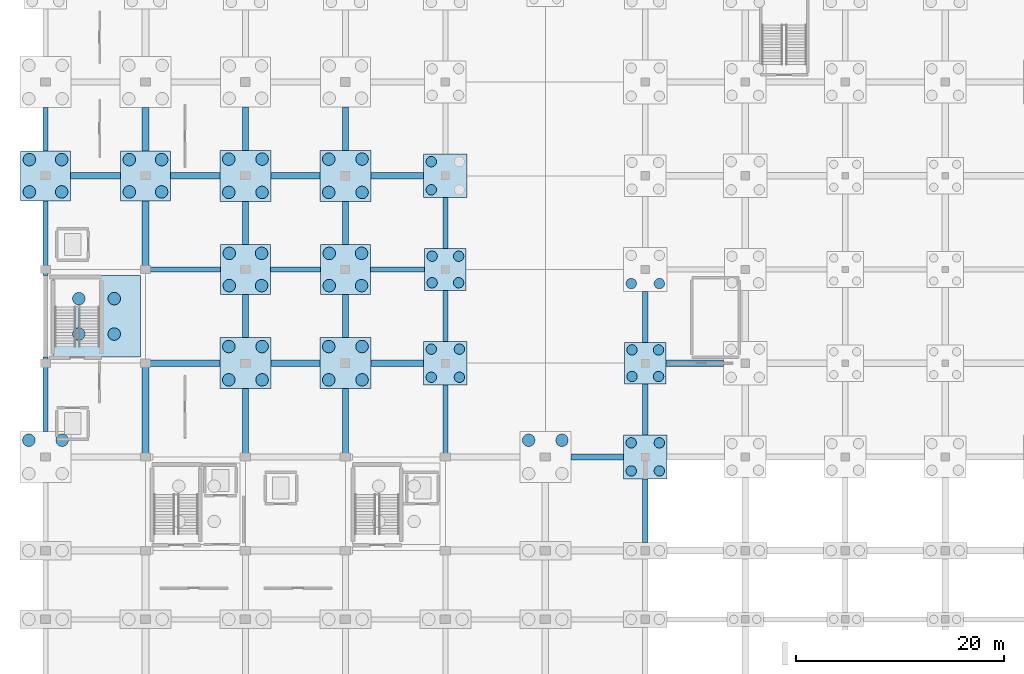
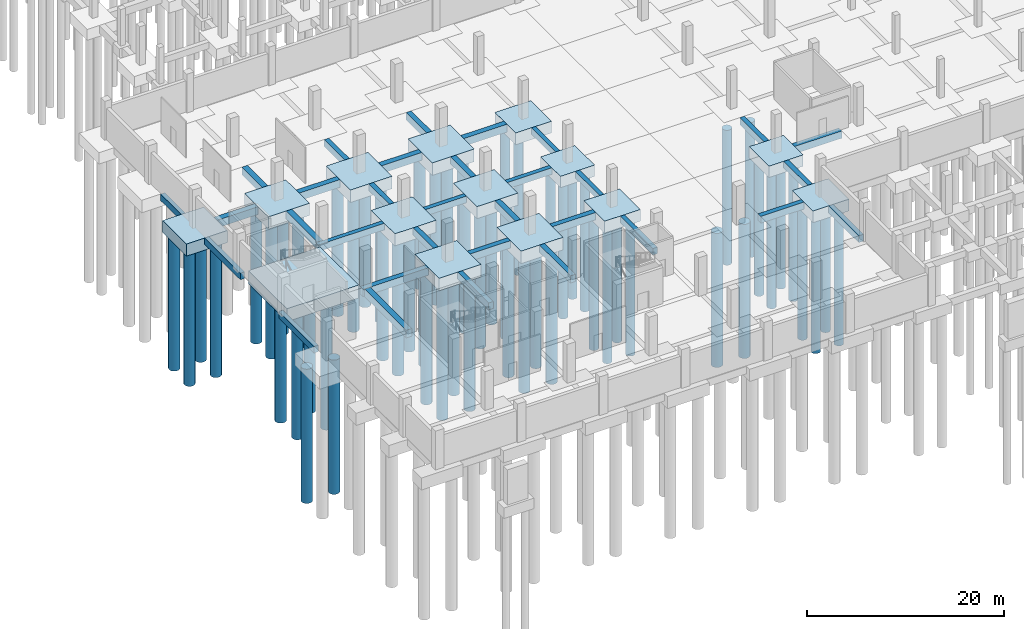
# One storey, part 2 of 39: 60 piles, 46 footings.
"""IFC4 building model written with IfcOpenShell, lengths in metres."""

from ifc_helpers import new_model, si_unit, direction, frame, origin, origin_2d, place, context, subcontext, project, spatial, polyline, rectangle, circle, outline, extrude, material, material_profile, profile_set, type_object, element, save


model = new_model("IFC4")

# Units and contexts
model_context = context("Model", 3, precision=1e-05, world=origin(), true_north=direction((0.0, 1.0)))
body_context = subcontext(model_context, "Body", "Model", "MODEL_VIEW")
ifc_project = project(units=[si_unit("LENGTHUNIT", "METRE"), si_unit("AREAUNIT", "SQUARE_METRE"), si_unit("VOLUMEUNIT", "CUBIC_METRE"), si_unit("PLANEANGLEUNIT", "RADIAN"), si_unit("MASSUNIT", "GRAM", prefix="KILO")], contexts=[model_context])

# Site, building, storey
site_placement = place(None, origin())
site = spatial("IfcSite", under=ifc_project, at=site_placement, CompositionType="ELEMENT")
building_placement = place(site_placement, origin())
building = spatial("IfcBuilding", under=site, at=building_placement, Name="Zarnetskaya Central Station", CompositionType="ELEMENT")
storey_placement = place(building_placement, frame((0.0, 0.0, -4.800048828125)))
storey = spatial("IfcBuildingStorey", under=building, at=storey_placement, Name="B1", CompositionType="ELEMENT", Elevation=-4.800048828125)

# Footings
ifc_material_1 = material(Name="Concrete C30/37", Category="concrete")
footing_type_1 = type_object("IfcFootingType", Name="FB-500x800", PredefinedType="FOOTING_BEAM", material=ifc_material_1)
footing_1_placement = place(storey_placement, frame((0.0, 0.0, -0.800048828125)))
element("IfcFooting", 1, at=footing_1_placement, inside=storey, type_object=footing_type_1, Name="Footing tie beam 6 B-C", PredefinedType="FOOTING_BEAM", context=body_context, shape_type="SweptSolid", body=[
    extrude(outline(polyline([(9.10009765625, 39.949951171875), (16.800048828125, 39.949951171875), (16.800048828125, 40.449951171875), (9.10009765625, 40.449951171875), (9.10009765625, 39.949951171875)])), origin(), (0.0, 0.0, 1.0), 0.800048828125),
])
footing_2_placement = place(storey_placement, frame((0.0, 0.0, -0.800048828125)))
element("IfcFooting", 2, at=footing_2_placement, inside=storey, type_object=footing_type_1, Name="Footing tie beam 6 C-D", PredefinedType="FOOTING_BEAM", context=body_context, shape_type="SweptSolid", body=[
    extrude(outline(polyline([(21.60009765625, 39.949951171875), (26.39990234375, 39.949951171875), (26.39990234375, 40.449951171875), (21.60009765625, 40.449951171875), (21.60009765625, 39.949951171875)])), origin(), (0.0, 0.0, 1.0), 0.800048828125),
])
footing_3_placement = place(storey_placement, frame((0.0, 0.0, -0.800048828125)))
element("IfcFooting", 3, at=footing_3_placement, inside=storey, type_object=footing_type_1, Name="Footing tie beam 6 D-E", PredefinedType="FOOTING_BEAM", context=body_context, shape_type="SweptSolid", body=[
    extrude(outline(polyline([(31.199951171875, 39.949951171875), (36.39990234375, 39.949951171875), (36.39990234375, 40.449951171875), (31.199951171875, 40.449951171875), (31.199951171875, 39.949951171875)])), origin(), (0.0, 0.0, 1.0), 0.800048828125),
])
footing_4_placement = place(storey_placement, frame((0.0, 0.0, -0.800048828125)))
element("IfcFooting", 4, at=footing_4_placement, inside=storey, type_object=footing_type_1, Name="Footing tie beam A 4-5", PredefinedType="FOOTING_BEAM", context=body_context, shape_type="SweptSolid", body=[
    extrude(outline(polyline([(-0.25, 24.64990234375), (0.25, 24.64990234375), (0.25, 31.800048828125), (-0.25, 31.800048828125), (-0.25, 24.64990234375)])), origin(), (0.0, 0.0, 1.0), 0.800048828125),
])
footing_5_placement = place(storey_placement, frame((0.0, 0.0, -0.800048828125)))
element("IfcFooting", 5, at=footing_5_placement, inside=storey, type_object=footing_type_1, Name="Footing tie beam A 6-7", PredefinedType="FOOTING_BEAM", context=body_context, shape_type="SweptSolid", body=[
    extrude(outline(polyline([(-0.25, 39.60009765625), (0.25, 39.60009765625), (0.25, 46.800048828125), (-0.25, 46.800048828125), (-0.25, 39.60009765625)])), origin(), (0.0, 0.0, 1.0), 0.800048828125),
])
footing_6_placement = place(storey_placement, frame((0.0, 0.0, -0.800048828125)))
element("IfcFooting", 6, at=footing_6_placement, inside=storey, type_object=footing_type_1, Name="Footing tie beam A 7-8", PredefinedType="FOOTING_BEAM", context=body_context, shape_type="SweptSolid", body=[
    extrude(outline(polyline([(-0.25, 51.60009765625), (0.25, 51.60009765625), (0.25, 55.75), (-0.25, 55.75), (-0.25, 51.60009765625)])), origin(), (0.0, 0.0, 1.0), 0.800048828125),
])
footing_7_placement = place(storey_placement, frame((0.0, 0.0, -0.800048828125)))
element("IfcFooting", 7, at=footing_7_placement, inside=storey, type_object=footing_type_1, Name="Footing tie beam E 4-5", PredefinedType="FOOTING_BEAM", context=body_context, shape_type="SweptSolid", body=[
    extrude(outline(polyline([(38.14990234375, 22.47509765625), (38.64990234375, 22.47509765625), (38.64990234375, 29.10009765625), (38.14990234375, 29.10009765625), (38.14990234375, 22.47509765625)])), origin(), (0.0, 0.0, 1.0), 0.800048828125),
])
footing_8_placement = place(storey_placement, frame((0.0, 0.0, -0.800048828125)))
element("IfcFooting", 8, at=footing_8_placement, inside=storey, type_object=footing_type_1, Name="Footing tie beam E 5-6", PredefinedType="FOOTING_BEAM", context=body_context, shape_type="SweptSolid", body=[
    extrude(outline(polyline([(38.14990234375, 33.300048828125), (38.64990234375, 33.300048828125), (38.64990234375, 38.199951171875), (38.14990234375, 38.199951171875), (38.14990234375, 33.300048828125)])), origin(), (0.0, 0.0, 1.0), 0.800048828125),
])
footing_9_placement = place(storey_placement, frame((0.0, 0.0, -0.800048828125)))
element("IfcFooting", 9, at=footing_9_placement, inside=storey, type_object=footing_type_1, Name="Footing tie beam E 6-7", PredefinedType="FOOTING_BEAM", context=body_context, shape_type="SweptSolid", body=[
    extrude(outline(polyline([(38.14990234375, 42.199951171875), (38.64990234375, 42.199951171875), (38.64990234375, 47.10009765625), (38.14990234375, 47.10009765625), (38.14990234375, 42.199951171875)])), origin(), (0.0, 0.0, 1.0), 0.800048828125),
])
footing_type_2 = type_object("IfcFootingType", Name="FB-550x850", PredefinedType="FOOTING_BEAM", material=ifc_material_1)
footing_10_placement = place(storey_placement, frame((0.0, 0.0, -0.849853515625)))
element("IfcFooting", 10, at=footing_10_placement, inside=storey, type_object=footing_type_2, Name="Footing tie beam 4 F-G", PredefinedType="FOOTING_BEAM", context=body_context, shape_type="SweptSolid", body=[
    extrude(outline(polyline([(50.449951171875, 21.925048828125), (55.5, 21.925048828125), (55.5, 22.47509765625), (50.449951171875, 22.47509765625), (50.449951171875, 21.925048828125)])), origin(), (0.0, 0.0, 1.0), 0.849853515625),
])
footing_11_placement = place(storey_placement, frame((0.0, 0.0, -0.849853515625)))
element("IfcFooting", 11, at=footing_11_placement, inside=storey, type_object=footing_type_2, Name="Footing tie beam C 4-5", PredefinedType="FOOTING_BEAM", context=body_context, shape_type="SweptSolid", body=[
    extrude(outline(polyline([(18.925048828125, 22.47509765625), (19.47509765625, 22.47509765625), (19.47509765625, 28.75), (18.925048828125, 28.75), (18.925048828125, 22.47509765625)])), origin(), (0.0, 0.0, 1.0), 0.849853515625),
])
footing_12_placement = place(storey_placement, frame((0.0, 0.0, -0.849853515625)))
element("IfcFooting", 12, at=footing_12_placement, inside=storey, type_object=footing_type_2, Name="Footing tie beam C 5-6", PredefinedType="FOOTING_BEAM", context=body_context, shape_type="SweptSolid", body=[
    extrude(outline(polyline([(18.925048828125, 33.64990234375), (19.47509765625, 33.64990234375), (19.47509765625, 37.800048828125), (18.925048828125, 37.800048828125), (18.925048828125, 33.64990234375)])), origin(), (0.0, 0.0, 1.0), 0.849853515625),
])
footing_13_placement = place(storey_placement, frame((0.0, 0.0, -0.849853515625)))
element("IfcFooting", 13, at=footing_13_placement, inside=storey, type_object=footing_type_2, Name="Footing tie beam C 6-7", PredefinedType="FOOTING_BEAM", context=body_context, shape_type="SweptSolid", body=[
    extrude(outline(polyline([(18.925048828125, 42.60009765625), (19.47509765625, 42.60009765625), (19.47509765625, 46.75), (18.925048828125, 46.75), (18.925048828125, 42.60009765625)])), origin(), (0.0, 0.0, 1.0), 0.849853515625),
])
footing_14_placement = place(storey_placement, frame((0.0, 0.0, -0.849853515625)))
element("IfcFooting", 14, at=footing_14_placement, inside=storey, type_object=footing_type_2, Name="Footing tie beam C 7-8", PredefinedType="FOOTING_BEAM", context=body_context, shape_type="SweptSolid", body=[
    extrude(outline(polyline([(18.925048828125, 51.64990234375), (19.47509765625, 51.64990234375), (19.47509765625, 55.800048828125), (18.925048828125, 55.800048828125), (18.925048828125, 51.64990234375)])), origin(), (0.0, 0.0, 1.0), 0.849853515625),
])
footing_15_placement = place(storey_placement, frame((0.0, 0.0, -0.849853515625)))
element("IfcFooting", 15, at=footing_15_placement, inside=storey, type_object=footing_type_2, Name="Footing tie beam G 3-4", PredefinedType="FOOTING_BEAM", context=body_context, shape_type="SweptSolid", body=[
    extrude(outline(polyline([(57.324951171875, 14.0), (57.875, 14.0), (57.875, 20.10009765625), (57.324951171875, 20.10009765625), (57.324951171875, 14.0)])), origin(), (0.0, 0.0, 1.0), 0.849853515625),
])
footing_16_placement = place(storey_placement, frame((0.0, 0.0, -0.849853515625)))
element("IfcFooting", 16, at=footing_16_placement, inside=storey, type_object=footing_type_2, Name="Footing tie beam G 4-5", PredefinedType="FOOTING_BEAM", context=body_context, shape_type="SweptSolid", body=[
    extrude(outline(polyline([(57.324951171875, 24.300048828125), (57.875, 24.300048828125), (57.875, 29.199951171875), (57.324951171875, 29.199951171875), (57.324951171875, 24.300048828125)])), origin(), (0.0, 0.0, 1.0), 0.849853515625),
])
footing_17_placement = place(storey_placement, frame((0.0, 0.0, -0.849853515625)))
element("IfcFooting", 17, at=footing_17_placement, inside=storey, type_object=footing_type_2, Name="Footing tie beam G 5-6", PredefinedType="FOOTING_BEAM", context=body_context, shape_type="SweptSolid", body=[
    extrude(outline(polyline([(57.324951171875, 33.199951171875), (57.875, 33.199951171875), (57.875, 38.10009765625), (57.324951171875, 38.10009765625), (57.324951171875, 33.199951171875)])), origin(), (0.0, 0.0, 1.0), 0.849853515625),
])
footing_type_3 = type_object("IfcFootingType", Name="FB-600x900", PredefinedType="FOOTING_BEAM", material=ifc_material_1)
footing_18_placement = place(storey_placement, frame((0.0, 0.0, -0.89990234375)))
element("IfcFooting", 18, at=footing_18_placement, inside=storey, type_object=footing_type_3, Name="Footing tie beam 5 B-C", PredefinedType="FOOTING_BEAM", context=body_context, shape_type="SweptSolid", body=[
    extrude(outline(polyline([(9.10009765625, 30.89990234375), (16.75, 30.89990234375), (16.75, 31.5), (9.10009765625, 31.5), (9.10009765625, 30.89990234375)])), origin(), (0.0, 0.0, 1.0), 0.89990234375),
])
footing_19_placement = place(storey_placement, frame((0.0, 0.0, -0.89990234375)))
element("IfcFooting", 19, at=footing_19_placement, inside=storey, type_object=footing_type_3, Name="Footing tie beam 5 C-D", PredefinedType="FOOTING_BEAM", context=body_context, shape_type="SweptSolid", body=[
    extrude(outline(polyline([(21.64990234375, 30.89990234375), (26.35009765625, 30.89990234375), (26.35009765625, 31.5), (21.64990234375, 31.5), (21.64990234375, 30.89990234375)])), origin(), (0.0, 0.0, 1.0), 0.89990234375),
])
footing_20_placement = place(storey_placement, frame((0.0, 0.0, -0.89990234375)))
element("IfcFooting", 20, at=footing_20_placement, inside=storey, type_object=footing_type_3, Name="Footing tie beam 5 D-E", PredefinedType="FOOTING_BEAM", context=body_context, shape_type="SweptSolid", body=[
    extrude(outline(polyline([(31.25, 30.89990234375), (36.300048828125, 30.89990234375), (36.300048828125, 31.5), (31.25, 31.5), (31.25, 30.89990234375)])), origin(), (0.0, 0.0, 1.0), 0.89990234375),
])
footing_21_placement = place(storey_placement, frame((0.0, 0.0, -0.89990234375)))
element("IfcFooting", 21, at=footing_21_placement, inside=storey, type_object=footing_type_3, Name="Footing tie beam 5 G-H", PredefinedType="FOOTING_BEAM", context=body_context, shape_type="SweptSolid", body=[
    extrude(outline(polyline([(59.60009765625, 30.89990234375), (65.10009765625, 30.89990234375), (65.10009765625, 31.5), (59.60009765625, 31.5), (59.60009765625, 30.89990234375)])), origin(), (0.0, 0.0, 1.0), 0.89990234375),
])
footing_22_placement = place(storey_placement, frame((0.0, 0.0, -0.89990234375)))
element("IfcFooting", 22, at=footing_22_placement, inside=storey, type_object=footing_type_3, Name="Footing tie beam D 4-5", PredefinedType="FOOTING_BEAM", context=body_context, shape_type="SweptSolid", body=[
    extrude(outline(polyline([(28.5, 22.47509765625), (29.10009765625, 22.47509765625), (29.10009765625, 28.75), (28.5, 28.75), (28.5, 22.47509765625)])), origin(), (0.0, 0.0, 1.0), 0.89990234375),
])
footing_23_placement = place(storey_placement, frame((0.0, 0.0, -0.89990234375)))
element("IfcFooting", 23, at=footing_23_placement, inside=storey, type_object=footing_type_3, Name="Footing tie beam D 5-6", PredefinedType="FOOTING_BEAM", context=body_context, shape_type="SweptSolid", body=[
    extrude(outline(polyline([(28.5, 33.64990234375), (29.10009765625, 33.64990234375), (29.10009765625, 37.800048828125), (28.5, 37.800048828125), (28.5, 33.64990234375)])), origin(), (0.0, 0.0, 1.0), 0.89990234375),
])
footing_24_placement = place(storey_placement, frame((0.0, 0.0, -0.89990234375)))
element("IfcFooting", 24, at=footing_24_placement, inside=storey, type_object=footing_type_3, Name="Footing tie beam D 6-7", PredefinedType="FOOTING_BEAM", context=body_context, shape_type="SweptSolid", body=[
    extrude(outline(polyline([(28.5, 42.60009765625), (29.10009765625, 42.60009765625), (29.10009765625, 46.75), (28.5, 46.75), (28.5, 42.60009765625)])), origin(), (0.0, 0.0, 1.0), 0.89990234375),
])
footing_25_placement = place(storey_placement, frame((0.0, 0.0, -0.89990234375)))
element("IfcFooting", 25, at=footing_25_placement, inside=storey, type_object=footing_type_3, Name="Footing tie beam D 7-8", PredefinedType="FOOTING_BEAM", context=body_context, shape_type="SweptSolid", body=[
    extrude(outline(polyline([(28.5, 51.64990234375), (29.10009765625, 51.64990234375), (29.10009765625, 55.800048828125), (28.5, 55.800048828125), (28.5, 51.64990234375)])), origin(), (0.0, 0.0, 1.0), 0.89990234375),
])
footing_type_4 = type_object("IfcFootingType", Name="FB-650x950", PredefinedType="FOOTING_BEAM", material=ifc_material_1)
footing_26_placement = place(storey_placement, frame((0.0, 0.0, -0.949951171875)))
element("IfcFooting", 26, at=footing_26_placement, inside=storey, type_object=footing_type_4, Name="Footing tie beam 7 A-B", PredefinedType="FOOTING_BEAM", context=body_context, shape_type="SweptSolid", body=[
    extrude(outline(polyline([(2.39990234375, 48.875), (7.199951171875, 48.875), (7.199951171875, 49.52490234375), (2.39990234375, 49.52490234375), (2.39990234375, 48.875)])), origin(), (0.0, 0.0, 1.0), 0.949951171875),
])
footing_27_placement = place(storey_placement, frame((0.0, 0.0, -0.949951171875)))
element("IfcFooting", 27, at=footing_27_placement, inside=storey, type_object=footing_type_4, Name="Footing tie beam 7 B-C", PredefinedType="FOOTING_BEAM", context=body_context, shape_type="SweptSolid", body=[
    extrude(outline(polyline([(12.0, 48.875), (16.75, 48.875), (16.75, 49.52490234375), (12.0, 49.52490234375), (12.0, 48.875)])), origin(), (0.0, 0.0, 1.0), 0.949951171875),
])
footing_28_placement = place(storey_placement, frame((0.0, 0.0, -0.949951171875)))
element("IfcFooting", 28, at=footing_28_placement, inside=storey, type_object=footing_type_4, Name="Footing tie beam 7 C-D", PredefinedType="FOOTING_BEAM", context=body_context, shape_type="SweptSolid", body=[
    extrude(outline(polyline([(21.64990234375, 48.875), (26.35009765625, 48.875), (26.35009765625, 49.52490234375), (21.64990234375, 49.52490234375), (21.64990234375, 48.875)])), origin(), (0.0, 0.0, 1.0), 0.949951171875),
])
footing_29_placement = place(storey_placement, frame((0.0, 0.0, -0.949951171875)))
element("IfcFooting", 29, at=footing_29_placement, inside=storey, type_object=footing_type_4, Name="Footing tie beam 7 D-E", PredefinedType="FOOTING_BEAM", context=body_context, shape_type="SweptSolid", body=[
    extrude(outline(polyline([(31.25, 48.875), (36.300048828125, 48.875), (36.300048828125, 49.52490234375), (31.25, 49.52490234375), (31.25, 48.875)])), origin(), (0.0, 0.0, 1.0), 0.949951171875),
])
footing_30_placement = place(storey_placement, frame((0.0, 0.0, -0.949951171875)))
element("IfcFooting", 30, at=footing_30_placement, inside=storey, type_object=footing_type_4, Name="Footing tie beam B 4-5", PredefinedType="FOOTING_BEAM", context=body_context, shape_type="SweptSolid", body=[
    extrude(outline(polyline([(9.27490234375, 22.47509765625), (9.925048828125, 22.47509765625), (9.925048828125, 30.89990234375), (9.27490234375, 30.89990234375), (9.27490234375, 22.47509765625)])), origin(), (0.0, 0.0, 1.0), 0.949951171875),
])
footing_31_placement = place(storey_placement, frame((0.0, 0.0, -0.949951171875)))
element("IfcFooting", 31, at=footing_31_placement, inside=storey, type_object=footing_type_4, Name="Footing tie beam B 6-7", PredefinedType="FOOTING_BEAM", context=body_context, shape_type="SweptSolid", body=[
    extrude(outline(polyline([(9.27490234375, 40.449951171875), (9.925048828125, 40.449951171875), (9.925048828125, 46.800048828125), (9.27490234375, 46.800048828125), (9.27490234375, 40.449951171875)])), origin(), (0.0, 0.0, 1.0), 0.949951171875),
])
footing_32_placement = place(storey_placement, frame((0.0, 0.0, -0.949951171875)))
element("IfcFooting", 32, at=footing_32_placement, inside=storey, type_object=footing_type_4, Name="Footing tie beam B 7-8", PredefinedType="FOOTING_BEAM", context=body_context, shape_type="SweptSolid", body=[
    extrude(outline(polyline([(9.27490234375, 51.60009765625), (9.925048828125, 51.60009765625), (9.925048828125, 55.75), (9.27490234375, 55.75), (9.27490234375, 51.60009765625)])), origin(), (0.0, 0.0, 1.0), 0.949951171875),
])
ifc_material_2 = material(Name="Concrete C35/45", Category="concrete")
footing_type_5 = type_object("IfcFootingType", Name="PC-4P-1000A", PredefinedType="PILE_CAP", material=ifc_material_2)
for number, where, z_axis, x_axis, name in (
    (33, (38.39990234375, 31.199951171875, -1.44970703125), (0.0, 0.0, 1.0), (1.0, 0.0, 0.0), "Pile cap E5"),
    (34, (38.39990234375, 49.199951171875, -1.44970703125), (0.0, 0.0, 1.0), (1.0, 0.0, 0.0), "Pile cap E7"),
    (35, (57.60009765625, 22.199951171875, -1.44970703125), (0.0, 0.0, 1.0), (1.0, 0.0, 0.0), "Pile cap G4"),
):
    element("IfcFooting", number, at=place(storey_placement, frame(where, z_axis=z_axis, x_axis=x_axis)), inside=storey, type_object=footing_type_5, Name=name, PredefinedType="PILE_CAP", context=body_context, shape_type="SweptSolid", body=[
        extrude(rectangle(XDim=4.199951171875, YDim=4.199951171875, at=origin_2d()), origin(), (0.0, 0.0, 1.0), 1.449951171875),
    ])
footing_type_6 = type_object("IfcFootingType", Name="PC-4P-1000B", PredefinedType="PILE_CAP", material=ifc_material_2)
for number, where, z_axis, x_axis, name in (
    (36, (38.39990234375, 40.199951171875, -1.39990234375), (0.0, 0.0, 1.0), (1.0, 0.0, 0.0), "Pile cap E6"),
    (37, (57.60009765625, 31.199951171875, -1.39990234375), (0.0, 0.0, 1.0), (1.0, 0.0, 0.0), "Pile cap G5"),
):
    element("IfcFooting", number, at=place(storey_placement, frame(where, z_axis=z_axis, x_axis=x_axis)), inside=storey, type_object=footing_type_6, Name=name, PredefinedType="PILE_CAP", context=body_context, shape_type="SweptSolid", body=[
        extrude(rectangle(XDim=4.0, YDim=4.0, at=origin_2d()), origin(), (0.0, 0.0, 1.0), 1.39990234375),
    ])
footing_type_7 = type_object("IfcFootingType", Name="PC-4P-1200A", PredefinedType="PILE_CAP", material=ifc_material_2)
for number, where, z_axis, x_axis, name in (
    (38, (19.199951171875, 31.199951171875, -1.5498046875), (0.0, 0.0, 1.0), (1.0, 0.0, 0.0), "Pile cap C5"),
    (39, (19.199951171875, 49.199951171875, -1.5498046875), (0.0, 0.0, 1.0), (1.0, 0.0, 0.0), "Pile cap C7"),
    (40, (28.800048828125, 31.199951171875, -1.5498046875), (0.0, 0.0, 1.0), (1.0, 0.0, 0.0), "Pile cap D5"),
    (41, (28.800048828125, 49.199951171875, -1.5498046875), (0.0, 0.0, 1.0), (1.0, 0.0, 0.0), "Pile cap D7"),
):
    element("IfcFooting", number, at=place(storey_placement, frame(where, z_axis=z_axis, x_axis=x_axis)), inside=storey, type_object=footing_type_7, Name=name, PredefinedType="PILE_CAP", context=body_context, shape_type="SweptSolid", body=[
        extrude(rectangle(XDim=4.89990234375, YDim=4.89990234375, at=origin_2d()), origin(), (0.0, 0.0, 1.0), 1.550048828125),
    ])
footing_type_8 = type_object("IfcFootingType", Name="PC-4P-1200B", PredefinedType="PILE_CAP", material=ifc_material_2)
for number, where, z_axis, x_axis, name in (
    (42, (0.0, 49.199951171875, -1.5), (0.0, 0.0, 1.0), (1.0, 0.0, 0.0), "Pile cap A7"),
    (43, (9.60009765625, 49.199951171875, -1.5), (0.0, 0.0, 1.0), (1.0, 0.0, 0.0), "Pile cap B7"),
    (44, (19.199951171875, 40.199951171875, -1.5), (0.0, 0.0, 1.0), (1.0, 0.0, 0.0), "Pile cap C6"),
    (45, (28.800048828125, 40.199951171875, -1.5), (0.0, 0.0, 1.0), (1.0, 0.0, 0.0), "Pile cap D6"),
):
    element("IfcFooting", number, at=place(storey_placement, frame(where, z_axis=z_axis, x_axis=x_axis)), inside=storey, type_object=footing_type_8, Name=name, PredefinedType="PILE_CAP", context=body_context, shape_type="SweptSolid", body=[
        extrude(rectangle(XDim=4.800048828125, YDim=4.800048828125, at=origin_2d()), origin(), (0.0, 0.0, 1.0), 1.5),
    ])
footing_type_9 = type_object("IfcFootingType", Name="PC-CORE-C2", PredefinedType="PILE_CAP", material=ifc_material_2)
footing_33_placement = place(storey_placement, frame((4.89990234375, 35.699951171875, -1.60009765625), z_axis=(0.0, 0.0, 1.0), x_axis=(1.0, 0.0, 0.0)))
element("IfcFooting", 46, at=footing_33_placement, inside=storey, type_object=footing_type_9, Name="Core C2 combined pile cap", PredefinedType="PILE_CAP", context=body_context, shape_type="SweptSolid", body=[
    extrude(rectangle(XDim=8.39990234375, YDim=7.800048828125, at=origin_2d()), origin(), (0.0, 0.0, 1.0), 1.60009765625),
])

# Piles
ifc_material_profile_1 = material_profile(ifc_material_2, circle(Radius=0.5, at=origin_2d()), Name="BORED PILE D1000")
ifc_profile_set_1 = profile_set([ifc_material_profile_1], Name="Concrete C35/45")
pile_type_1 = type_object("IfcPileType", Name="PILE-D1000", PredefinedType="BORED", material=ifc_profile_set_1)
for number, where, z_axis, x_axis, name in (
    (47, (37.050048828125, 29.85009765625, -1.300048828125), (0.0, 0.0, -1.0), (1.0, 0.0, 0.0), "Bored pile E5-11"),
    (48, (37.050048828125, 32.550048828125, -1.300048828125), (0.0, 0.0, -1.0), (1.0, 0.0, 0.0), "Bored pile E5-12"),
    (49, (39.75, 29.85009765625, -1.300048828125), (0.0, 0.0, -1.0), (1.0, 0.0, 0.0), "Bored pile E5-21"),
    (50, (39.75, 32.550048828125, -1.300048828125), (0.0, 0.0, -1.0), (1.0, 0.0, 0.0), "Bored pile E5-22"),
):
    element("IfcPile", number, at=place(storey_placement, frame(where, z_axis=z_axis, x_axis=x_axis)), inside=storey, type_object=pile_type_1, Name=name, PredefinedType="BORED", context=body_context, shape_type="SweptSolid", body=[
        extrude(circle(Radius=0.5, at=origin_2d()), origin(), (0.0, 0.0, 1.0), 16.699951171875),
    ])
for number, where, z_axis, x_axis, name in (
    (51, (37.125, 38.925048828125, -1.25), (0.0, 0.0, -1.0), (1.0, 0.0, 0.0), "Bored pile E6-11"),
    (52, (37.125, 41.47509765625, -1.25), (0.0, 0.0, -1.0), (1.0, 0.0, 0.0), "Bored pile E6-12"),
    (53, (39.675048828125, 38.925048828125, -1.25), (0.0, 0.0, -1.0), (1.0, 0.0, 0.0), "Bored pile E6-21"),
    (54, (39.675048828125, 41.47509765625, -1.25), (0.0, 0.0, -1.0), (1.0, 0.0, 0.0), "Bored pile E6-22"),
):
    element("IfcPile", number, at=place(storey_placement, frame(where, z_axis=z_axis, x_axis=x_axis)), inside=storey, type_object=pile_type_1, Name=name, PredefinedType="BORED", context=body_context, shape_type="SweptSolid", body=[
        extrude(circle(Radius=0.5, at=origin_2d()), origin(), (0.0, 0.0, 1.0), 16.75),
    ])
for number, where, z_axis, x_axis, name in (
    (55, (37.050048828125, 47.85009765625, -1.300048828125), (0.0, 0.0, -1.0), (1.0, 0.0, 0.0), "Bored pile E7-11"),
    (56, (37.050048828125, 50.550048828125, -1.300048828125), (0.0, 0.0, -1.0), (1.0, 0.0, 0.0), "Bored pile E7-12"),
    (57, (56.25, 20.85009765625, -1.300048828125), (0.0, 0.0, -1.0), (1.0, 0.0, 0.0), "Bored pile G4-11"),
    (58, (56.25, 23.550048828125, -1.300048828125), (0.0, 0.0, -1.0), (1.0, 0.0, 0.0), "Bored pile G4-12"),
    (59, (58.949951171875, 20.85009765625, -1.300048828125), (0.0, 0.0, -1.0), (1.0, 0.0, 0.0), "Bored pile G4-21"),
    (60, (58.949951171875, 23.550048828125, -1.300048828125), (0.0, 0.0, -1.0), (1.0, 0.0, 0.0), "Bored pile G4-22"),
):
    element("IfcPile", number, at=place(storey_placement, frame(where, z_axis=z_axis, x_axis=x_axis)), inside=storey, type_object=pile_type_1, Name=name, PredefinedType="BORED", context=body_context, shape_type="SweptSolid", body=[
        extrude(circle(Radius=0.5, at=origin_2d()), origin(), (0.0, 0.0, 1.0), 16.699951171875),
    ])
for number, where, z_axis, x_axis, name in (
    (61, (56.324951171875, 29.925048828125, -1.25), (0.0, 0.0, -1.0), (1.0, 0.0, 0.0), "Bored pile G5-11"),
    (62, (56.324951171875, 32.47509765625, -1.25), (0.0, 0.0, -1.0), (1.0, 0.0, 0.0), "Bored pile G5-12"),
    (63, (58.875, 29.925048828125, -1.25), (0.0, 0.0, -1.0), (1.0, 0.0, 0.0), "Bored pile G5-21"),
    (64, (58.875, 32.47509765625, -1.25), (0.0, 0.0, -1.0), (1.0, 0.0, 0.0), "Bored pile G5-22"),
):
    element("IfcPile", number, at=place(storey_placement, frame(where, z_axis=z_axis, x_axis=x_axis)), inside=storey, type_object=pile_type_1, Name=name, PredefinedType="BORED", context=body_context, shape_type="SweptSolid", body=[
        extrude(circle(Radius=0.5, at=origin_2d()), origin(), (0.0, 0.0, 1.0), 16.75),
    ])
for number, where, z_axis, x_axis, name in (
    (65, (56.25, 38.85009765625, -1.300048828125), (0.0, 0.0, -1.0), (1.0, 0.0, 0.0), "Bored pile G6-11"),
    (66, (58.949951171875, 38.85009765625, -1.300048828125), (0.0, 0.0, -1.0), (1.0, 0.0, 0.0), "Bored pile G6-21"),
):
    element("IfcPile", number, at=place(storey_placement, frame(where, z_axis=z_axis, x_axis=x_axis)), inside=storey, type_object=pile_type_1, Name=name, PredefinedType="BORED", context=body_context, shape_type="SweptSolid", body=[
        extrude(circle(Radius=0.5, at=origin_2d()), origin(), (0.0, 0.0, 1.0), 16.699951171875),
    ])
ifc_material_profile_2 = material_profile(ifc_material_2, circle(Radius=0.60009765625, at=origin_2d()), Name="BORED PILE D1200")
ifc_profile_set_2 = profile_set([ifc_material_profile_2], Name="Concrete C35/45")
pile_type_2 = type_object("IfcPileType", Name="PILE-D1200", PredefinedType="BORED", material=ifc_profile_set_2)
for number, where, z_axis, x_axis, name in (
    (67, (3.199951171875, 34.0, -1.449951171875), (0.0, 0.0, -1.0), (1.0, 0.0, 0.0), "Bored pile C2-11"),
    (68, (3.199951171875, 37.39990234375, -1.449951171875), (0.0, 0.0, -1.0), (1.0, 0.0, 0.0), "Bored pile C2-12"),
    (69, (6.60009765625, 34.0, -1.449951171875), (0.0, 0.0, -1.0), (1.0, 0.0, 0.0), "Bored pile C2-21"),
    (70, (6.60009765625, 37.39990234375, -1.449951171875), (0.0, 0.0, -1.0), (1.0, 0.0, 0.0), "Bored pile C2-22"),
):
    element("IfcPile", number, at=place(storey_placement, frame(where, z_axis=z_axis, x_axis=x_axis)), inside=storey, type_object=pile_type_2, Name=name, PredefinedType="BORED", context=body_context, shape_type="SweptSolid", body=[
        extrude(circle(Radius=0.60009765625, at=origin_2d()), origin(), (0.0, 0.0, 1.0), 16.550048828125),
    ])
for number, where, z_axis, x_axis, name in (
    (71, (-1.60009765625, 23.800048828125, -1.39990234375), (0.0, 0.0, -1.0), (1.0, 0.0, 0.0), "Bored pile A4-12"),
    (72, (1.60009765625, 23.800048828125, -1.39990234375), (0.0, 0.0, -1.0), (1.0, 0.0, 0.0), "Bored pile A4-22"),
):
    element("IfcPile", number, at=place(storey_placement, frame(where, z_axis=z_axis, x_axis=x_axis)), inside=storey, type_object=pile_type_2, Name=name, PredefinedType="BORED", context=body_context, shape_type="SweptSolid", body=[
        extrude(circle(Radius=0.60009765625, at=origin_2d()), origin(), (0.0, 0.0, 1.0), 16.60009765625),
    ])
for number, where, z_axis, x_axis, name in (
    (73, (-1.550048828125, 47.64990234375, -1.349853515625), (0.0, 0.0, -1.0), (1.0, 0.0, 0.0), "Bored pile A7-11"),
    (74, (-1.550048828125, 50.75, -1.349853515625), (0.0, 0.0, -1.0), (1.0, 0.0, 0.0), "Bored pile A7-12"),
    (75, (1.550048828125, 47.64990234375, -1.349853515625), (0.0, 0.0, -1.0), (1.0, 0.0, 0.0), "Bored pile A7-21"),
    (76, (1.550048828125, 50.75, -1.349853515625), (0.0, 0.0, -1.0), (1.0, 0.0, 0.0), "Bored pile A7-22"),
    (77, (8.050048828125, 47.64990234375, -1.349853515625), (0.0, 0.0, -1.0), (1.0, 0.0, 0.0), "Bored pile B7-11"),
    (78, (8.050048828125, 50.75, -1.349853515625), (0.0, 0.0, -1.0), (1.0, 0.0, 0.0), "Bored pile B7-12"),
    (79, (11.14990234375, 47.64990234375, -1.349853515625), (0.0, 0.0, -1.0), (1.0, 0.0, 0.0), "Bored pile B7-21"),
    (80, (11.14990234375, 50.75, -1.349853515625), (0.0, 0.0, -1.0), (1.0, 0.0, 0.0), "Bored pile B7-22"),
):
    element("IfcPile", number, at=place(storey_placement, frame(where, z_axis=z_axis, x_axis=x_axis)), inside=storey, type_object=pile_type_2, Name=name, PredefinedType="BORED", context=body_context, shape_type="SweptSolid", body=[
        extrude(circle(Radius=0.60009765625, at=origin_2d()), origin(), (0.0, 0.0, 1.0), 16.64990234375),
    ])
for number, where, z_axis, x_axis, name in (
    (81, (17.60009765625, 29.60009765625, -1.39990234375), (0.0, 0.0, -1.0), (1.0, 0.0, 0.0), "Bored pile C5-11"),
    (82, (17.60009765625, 32.800048828125, -1.39990234375), (0.0, 0.0, -1.0), (1.0, 0.0, 0.0), "Bored pile C5-12"),
    (83, (20.800048828125, 29.60009765625, -1.39990234375), (0.0, 0.0, -1.0), (1.0, 0.0, 0.0), "Bored pile C5-21"),
    (84, (20.800048828125, 32.800048828125, -1.39990234375), (0.0, 0.0, -1.0), (1.0, 0.0, 0.0), "Bored pile C5-22"),
):
    element("IfcPile", number, at=place(storey_placement, frame(where, z_axis=z_axis, x_axis=x_axis)), inside=storey, type_object=pile_type_2, Name=name, PredefinedType="BORED", context=body_context, shape_type="SweptSolid", body=[
        extrude(circle(Radius=0.60009765625, at=origin_2d()), origin(), (0.0, 0.0, 1.0), 16.60009765625),
    ])
for number, where, z_axis, x_axis, name in (
    (85, (17.64990234375, 38.64990234375, -1.349853515625), (0.0, 0.0, -1.0), (1.0, 0.0, 0.0), "Bored pile C6-11"),
    (86, (17.64990234375, 41.75, -1.349853515625), (0.0, 0.0, -1.0), (1.0, 0.0, 0.0), "Bored pile C6-12"),
    (87, (20.75, 38.64990234375, -1.349853515625), (0.0, 0.0, -1.0), (1.0, 0.0, 0.0), "Bored pile C6-21"),
    (88, (20.75, 41.75, -1.349853515625), (0.0, 0.0, -1.0), (1.0, 0.0, 0.0), "Bored pile C6-22"),
):
    element("IfcPile", number, at=place(storey_placement, frame(where, z_axis=z_axis, x_axis=x_axis)), inside=storey, type_object=pile_type_2, Name=name, PredefinedType="BORED", context=body_context, shape_type="SweptSolid", body=[
        extrude(circle(Radius=0.60009765625, at=origin_2d()), origin(), (0.0, 0.0, 1.0), 16.64990234375),
    ])
for number, where, z_axis, x_axis, name in (
    (89, (17.60009765625, 47.60009765625, -1.39990234375), (0.0, 0.0, -1.0), (1.0, 0.0, 0.0), "Bored pile C7-11"),
    (90, (17.60009765625, 50.800048828125, -1.39990234375), (0.0, 0.0, -1.0), (1.0, 0.0, 0.0), "Bored pile C7-12"),
    (91, (20.800048828125, 47.60009765625, -1.39990234375), (0.0, 0.0, -1.0), (1.0, 0.0, 0.0), "Bored pile C7-21"),
    (92, (20.800048828125, 50.800048828125, -1.39990234375), (0.0, 0.0, -1.0), (1.0, 0.0, 0.0), "Bored pile C7-22"),
    (93, (27.199951171875, 29.60009765625, -1.39990234375), (0.0, 0.0, -1.0), (1.0, 0.0, 0.0), "Bored pile D5-11"),
    (94, (27.199951171875, 32.800048828125, -1.39990234375), (0.0, 0.0, -1.0), (1.0, 0.0, 0.0), "Bored pile D5-12"),
    (95, (30.39990234375, 29.60009765625, -1.39990234375), (0.0, 0.0, -1.0), (1.0, 0.0, 0.0), "Bored pile D5-21"),
    (96, (30.39990234375, 32.800048828125, -1.39990234375), (0.0, 0.0, -1.0), (1.0, 0.0, 0.0), "Bored pile D5-22"),
):
    element("IfcPile", number, at=place(storey_placement, frame(where, z_axis=z_axis, x_axis=x_axis)), inside=storey, type_object=pile_type_2, Name=name, PredefinedType="BORED", context=body_context, shape_type="SweptSolid", body=[
        extrude(circle(Radius=0.60009765625, at=origin_2d()), origin(), (0.0, 0.0, 1.0), 16.60009765625),
    ])
for number, where, z_axis, x_axis, name in (
    (97, (27.25, 38.64990234375, -1.349853515625), (0.0, 0.0, -1.0), (1.0, 0.0, 0.0), "Bored pile D6-11"),
    (98, (27.25, 41.75, -1.349853515625), (0.0, 0.0, -1.0), (1.0, 0.0, 0.0), "Bored pile D6-12"),
    (99, (30.35009765625, 38.64990234375, -1.349853515625), (0.0, 0.0, -1.0), (1.0, 0.0, 0.0), "Bored pile D6-21"),
    (100, (30.35009765625, 41.75, -1.349853515625), (0.0, 0.0, -1.0), (1.0, 0.0, 0.0), "Bored pile D6-22"),
):
    element("IfcPile", number, at=place(storey_placement, frame(where, z_axis=z_axis, x_axis=x_axis)), inside=storey, type_object=pile_type_2, Name=name, PredefinedType="BORED", context=body_context, shape_type="SweptSolid", body=[
        extrude(circle(Radius=0.60009765625, at=origin_2d()), origin(), (0.0, 0.0, 1.0), 16.64990234375),
    ])
for number, where, z_axis, x_axis, name in (
    (101, (27.199951171875, 47.60009765625, -1.39990234375), (0.0, 0.0, -1.0), (1.0, 0.0, 0.0), "Bored pile D7-11"),
    (102, (27.199951171875, 50.800048828125, -1.39990234375), (0.0, 0.0, -1.0), (1.0, 0.0, 0.0), "Bored pile D7-12"),
    (103, (30.39990234375, 47.60009765625, -1.39990234375), (0.0, 0.0, -1.0), (1.0, 0.0, 0.0), "Bored pile D7-21"),
    (104, (30.39990234375, 50.800048828125, -1.39990234375), (0.0, 0.0, -1.0), (1.0, 0.0, 0.0), "Bored pile D7-22"),
    (105, (46.39990234375, 23.800048828125, -1.39990234375), (0.0, 0.0, -1.0), (1.0, 0.0, 0.0), "Bored pile F4-12"),
    (106, (49.60009765625, 23.800048828125, -1.39990234375), (0.0, 0.0, -1.0), (1.0, 0.0, 0.0), "Bored pile F4-22"),
):
    element("IfcPile", number, at=place(storey_placement, frame(where, z_axis=z_axis, x_axis=x_axis)), inside=storey, type_object=pile_type_2, Name=name, PredefinedType="BORED", context=body_context, shape_type="SweptSolid", body=[
        extrude(circle(Radius=0.60009765625, at=origin_2d()), origin(), (0.0, 0.0, 1.0), 16.60009765625),
    ])

save(model, "model.ifc")
